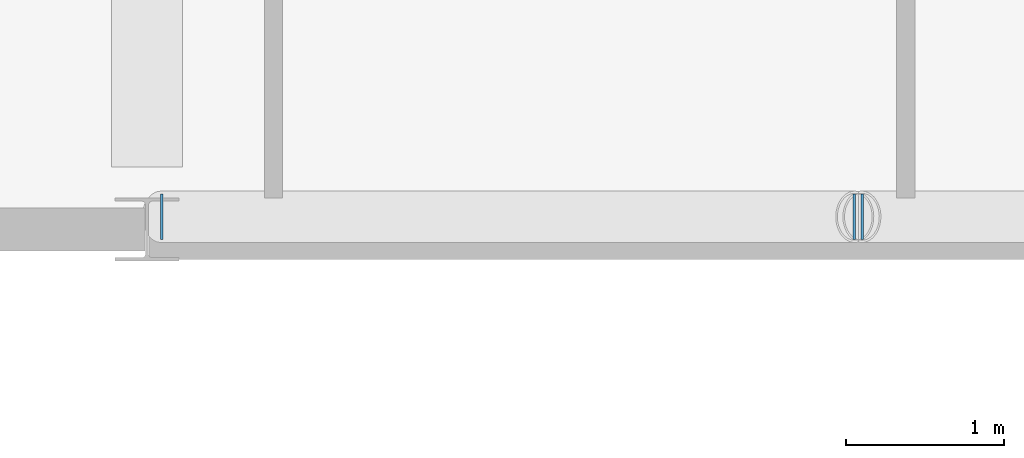
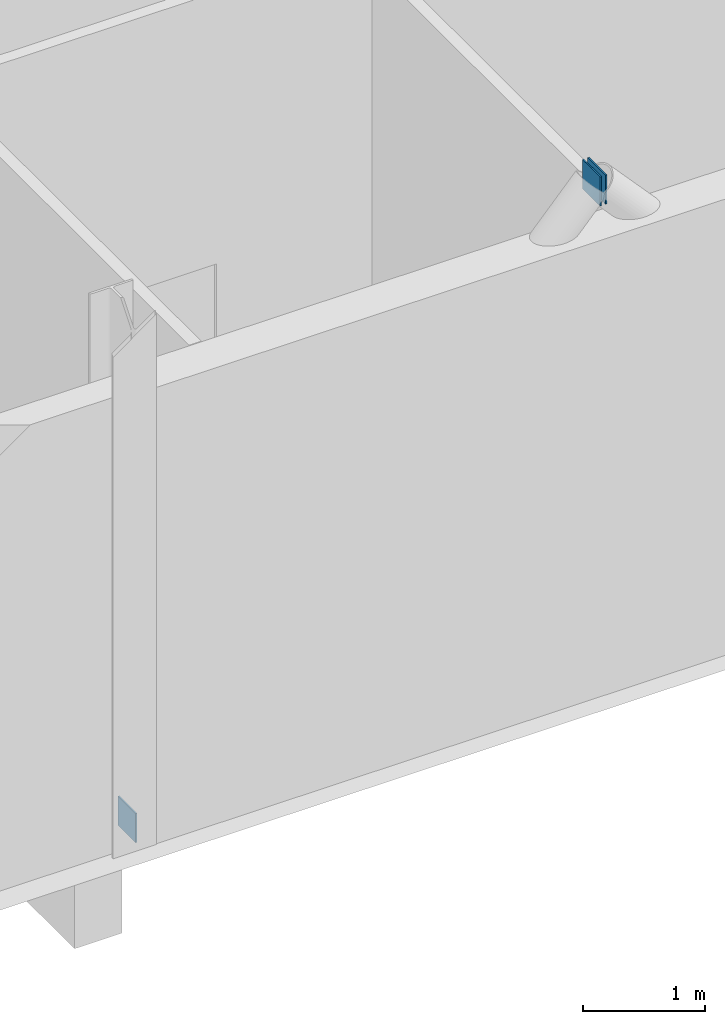
# One storey, part 69 of 95: 3 plates.
"""IFC4 building model written with IfcOpenShell, lengths in metres."""

from ifc_helpers import new_model, si_unit, direction, frame, origin, origin_2d, place, context, subcontext, project, spatial, rectangle, extrude, material, layer, layer_set, type_object, element, save


model = new_model("IFC4")

# Units and contexts
model_context = context("Model", 3, precision=1e-05, world=origin(), true_north=direction((0.0, 1.0)))
body_context = subcontext(model_context, "Body", "Model", "MODEL_VIEW")
ifc_project = project(units=[si_unit("LENGTHUNIT", "METRE"), si_unit("AREAUNIT", "SQUARE_METRE"), si_unit("VOLUMEUNIT", "CUBIC_METRE"), si_unit("PLANEANGLEUNIT", "RADIAN"), si_unit("MASSUNIT", "GRAM", prefix="KILO")], contexts=[model_context])

# Site, building, storey
site_placement = place(None, origin())
site = spatial("IfcSite", under=ifc_project, at=site_placement, CompositionType="ELEMENT")
building_placement = place(site_placement, origin())
building = spatial("IfcBuilding", under=site, at=building_placement, Name="Shengluoqiao Park Theatre", CompositionType="ELEMENT")
storey_placement = place(building_placement, origin())
storey = spatial("IfcBuildingStorey", under=building, at=storey_placement, Name="L00", CompositionType="ELEMENT", Elevation=0.0)

# Plates
ifc_material = material(Name="Steel Q355", Category="steel")
ifc_layer = layer(ifc_material, 0.013916015625, Name="Steel Q355")
ifc_layer_set = layer_set([ifc_layer], Name="Steel Q355")
plate_type = type_object("IfcPlateType", Name="STR-PLT-EC-280", PredefinedType="SHEET", material=ifc_layer_set)
for number, where, z_axis, x_axis, name in (
    (1, (121.49267578125, 84.080078125, -0.023681640625), (0.0, 0.0, 1.0), (1.0, 0.0, 0.0), "Hollow Tube End Cap Plate 00168"),
    (2, (125.874755859375, 84.080078125, 4.7919921875), (0.0, 0.0, 1.0), (1.0, 0.0, 0.0), "Hollow Tube End Cap Plate 00169"),
    (3, (125.92529296875, 84.080078125, 4.7919921875), (0.0, 0.0, 1.0), (-1.0, 0.0, 0.0), "Hollow Tube End Cap Plate 00171"),
):
    element("IfcPlate", number, at=place(storey_placement, frame(where, z_axis=z_axis, x_axis=x_axis)), inside=storey, type_object=plate_type, Name=name, PredefinedType="SHEET", context=body_context, shape_type="SweptSolid", body=[
        extrude(rectangle(XDim=0.013916015625, YDim=0.2900390625, at=origin_2d()), origin(), (0.0, 0.0, 1.0), 0.2900390625),
    ])

save(model, "model.ifc")
